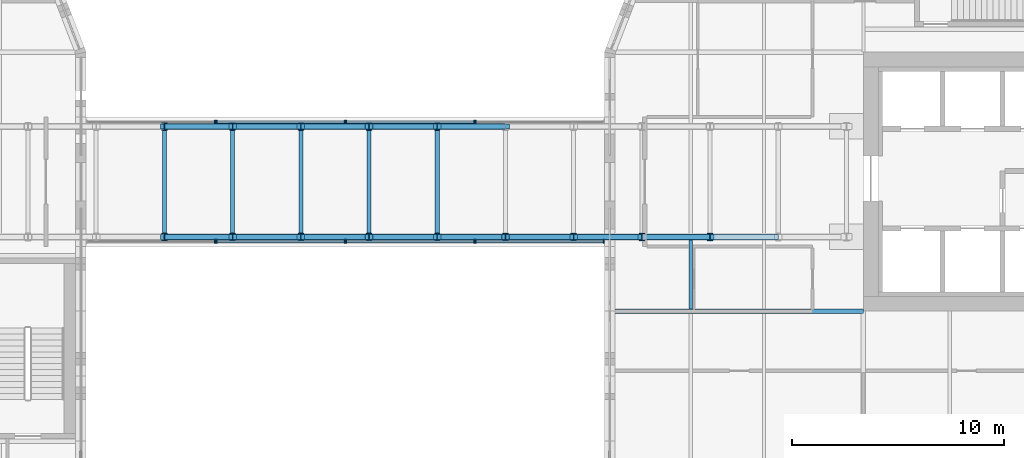
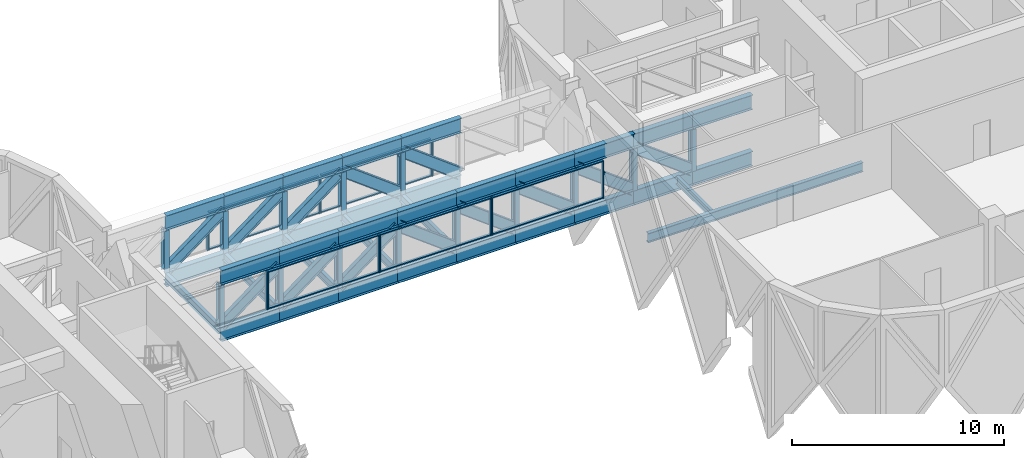
# One storey, part 5 of 30: 50 members, 35 beams, 8 elements without a shape of their own.
"""IFC4 building model written with IfcOpenShell, lengths in metres."""

from ifc_helpers import new_model, si_unit, direction, frame, origin, origin_2d, place, context, subcontext, project, spatial, rectangle, i_section, extrude, material, material_profile, profile_set, type_object, element, aggregate, save


model = new_model("IFC4")

# Units and contexts
model_context = context("Model", 3, precision=1e-05, world=origin(), true_north=direction((0.0, 1.0)))
body_context = subcontext(model_context, "Body", "Model", "MODEL_VIEW")
ifc_project = project(units=[si_unit("LENGTHUNIT", "METRE"), si_unit("AREAUNIT", "SQUARE_METRE"), si_unit("VOLUMEUNIT", "CUBIC_METRE"), si_unit("PLANEANGLEUNIT", "RADIAN"), si_unit("MASSUNIT", "GRAM", prefix="KILO")], contexts=[model_context])

# Site, building, storey
site_placement = place(None, origin())
site = spatial("IfcSite", under=ifc_project, at=site_placement, CompositionType="ELEMENT")
building_placement = place(site_placement, origin())
building = spatial("IfcBuilding", under=site, at=building_placement, Name="Tessera Gate Towers", CompositionType="ELEMENT")
storey_placement = place(building_placement, frame((0.0, 0.0, 21.300048828125)))
storey = spatial("IfcBuildingStorey", under=building, at=storey_placement, Name="L04", CompositionType="ELEMENT", Elevation=21.300048828125)

# Members
ifc_material_1 = material(Name="Steel 350W", Category="steel")
ifc_material_profile_1 = material_profile(ifc_material_1, i_section(OverallWidth=0.22802734375, OverallDepth=0.60302734375, WebThickness=0.010498046875, FlangeThickness=0.014892578125, at=origin_2d()), Name="W610x101")
ifc_profile_set_1 = profile_set([ifc_material_profile_1], Name="Steel 350W")
member_type_1 = type_object("IfcMemberType", Name="BRIDGE BRACE W610x101", PredefinedType="BRACE", material=ifc_profile_set_1)
member_1_placement = place(storey_placement, frame((64.6826171875, 40.10009765625, -0.25), z_axis=(0.798781510868, 0.0, 0.601621224605), x_axis=(0.0, 1.0, 0.0)))
element("IfcMember", 1, at=member_1_placement, inside=storey, type_object=member_type_1, Name="BR1 bridge truss G1 brace D4", PredefinedType="BRACE", context=body_context, shape_type="SweptSolid", body=[
    extrude(i_section(OverallWidth=0.22802734375, OverallDepth=0.60302734375, WebThickness=0.010498046875, FlangeThickness=0.014892578125, at=origin_2d()), origin(), (0.0, 0.0, 1.0), 4.020751953125),
])
member_2_placement = place(storey_placement, frame((67.894287109375, 40.10009765625, -0.25), z_axis=(0.79880348703, 0.0, 0.601592045416), x_axis=(0.0, 1.0, 0.0)))
element("IfcMember", 2, at=member_2_placement, inside=storey, type_object=member_type_1, Name="BR1 bridge truss G1 brace D5", PredefinedType="BRACE", context=body_context, shape_type="SweptSolid", body=[
    extrude(i_section(OverallWidth=0.22802734375, OverallDepth=0.60302734375, WebThickness=0.010498046875, FlangeThickness=0.014892578125, at=origin_2d()), origin(), (0.0, 0.0, 1.0), 4.02099609375),
])
for number, where, z_axis, x_axis, name in (
    (3, (71.106201171875, 40.10009765625, -0.25), (0.798781510868, 0.0, 0.601621224605), (0.0, 1.0, 0.0), "BR1 bridge truss G1 brace D6"),
    (4, (77.529541015625, 40.10009765625, -0.25), (-0.798781510868, 0.0, 0.601621224605), (0.0, -1.0, 0.0), "BR1 bridge truss G1 brace D7"),
    (5, (80.7412109375, 40.10009765625, -0.25), (-0.798781510868, 0.0, 0.601621224605), (0.0, -1.0, 0.0), "BR1 bridge truss G1 brace D8"),
):
    element("IfcMember", number, at=place(storey_placement, frame(where, z_axis=z_axis, x_axis=x_axis)), inside=storey, type_object=member_type_1, Name=name, PredefinedType="BRACE", context=body_context, shape_type="SweptSolid", body=[
        extrude(i_section(OverallWidth=0.22802734375, OverallDepth=0.60302734375, WebThickness=0.010498046875, FlangeThickness=0.014892578125, at=origin_2d()), origin(), (0.0, 0.0, 1.0), 4.020751953125),
    ])
member_3_placement = place(storey_placement, frame((83.953125, 40.10009765625, -0.25), z_axis=(-0.79880348703, 0.0, 0.601592045416), x_axis=(0.0, -1.0, 0.0)))
element("IfcMember", 6, at=member_3_placement, inside=storey, type_object=member_type_1, Name="BR1 bridge truss G1 brace D9", PredefinedType="BRACE", context=body_context, shape_type="SweptSolid", body=[
    extrude(i_section(OverallWidth=0.22802734375, OverallDepth=0.60302734375, WebThickness=0.010498046875, FlangeThickness=0.014892578125, at=origin_2d()), origin(), (0.0, 0.0, 1.0), 4.02099609375),
])
for number, where, z_axis, x_axis, name in (
    (7, (87.164794921875, 40.10009765625, -0.25), (-0.798781510868, 0.0, 0.601621224605), (0.0, -1.0, 0.0), "BR1 bridge truss G1 brace D10"),
    (8, (90.37646484375, 40.10009765625, -0.25), (-0.798781510868, 0.0, 0.601621224605), (0.0, -1.0, 0.0), "BR1 bridge truss G1 brace D11"),
    (9, (64.6826171875, 45.300048828125, -0.25), (0.798781510868, 0.0, 0.601621224605), (0.0, 1.0, 0.0), "BR1 bridge truss G2 brace D4"),
):
    element("IfcMember", number, at=place(storey_placement, frame(where, z_axis=z_axis, x_axis=x_axis)), inside=storey, type_object=member_type_1, Name=name, PredefinedType="BRACE", context=body_context, shape_type="SweptSolid", body=[
        extrude(i_section(OverallWidth=0.22802734375, OverallDepth=0.60302734375, WebThickness=0.010498046875, FlangeThickness=0.014892578125, at=origin_2d()), origin(), (0.0, 0.0, 1.0), 4.020751953125),
    ])
member_4_placement = place(storey_placement, frame((67.894287109375, 45.300048828125, -0.25), z_axis=(0.79880348703, 0.0, 0.601592045416), x_axis=(0.0, 1.0, 0.0)))
element("IfcMember", 10, at=member_4_placement, inside=storey, type_object=member_type_1, Name="BR1 bridge truss G2 brace D5", PredefinedType="BRACE", context=body_context, shape_type="SweptSolid", body=[
    extrude(i_section(OverallWidth=0.22802734375, OverallDepth=0.60302734375, WebThickness=0.010498046875, FlangeThickness=0.014892578125, at=origin_2d()), origin(), (0.0, 0.0, 1.0), 4.02099609375),
])
for number, where, z_axis, x_axis, name in (
    (11, (71.106201171875, 45.300048828125, -0.25), (0.798781510868, 0.0, 0.601621224605), (0.0, 1.0, 0.0), "BR1 bridge truss G2 brace D6"),
    (12, (77.529541015625, 45.300048828125, -0.25), (-0.798781510868, 0.0, 0.601621224605), (0.0, -1.0, 0.0), "BR1 bridge truss G2 brace D7"),
    (13, (80.7412109375, 45.300048828125, -0.25), (-0.798781510868, 0.0, 0.601621224605), (0.0, -1.0, 0.0), "BR1 bridge truss G2 brace D8"),
):
    element("IfcMember", number, at=place(storey_placement, frame(where, z_axis=z_axis, x_axis=x_axis)), inside=storey, type_object=member_type_1, Name=name, PredefinedType="BRACE", context=body_context, shape_type="SweptSolid", body=[
        extrude(i_section(OverallWidth=0.22802734375, OverallDepth=0.60302734375, WebThickness=0.010498046875, FlangeThickness=0.014892578125, at=origin_2d()), origin(), (0.0, 0.0, 1.0), 4.020751953125),
    ])

# Beams
ifc_material_2 = material(Name="Steel 350W", Category="steel")
ifc_material_profile_2 = material_profile(ifc_material_2, i_section(OverallWidth=0.2919921875, OverallDepth=0.8349609375, WebThickness=0.013916015625, FlangeThickness=0.018798828125, at=origin_2d()), Name="W840x176")
ifc_profile_set_2 = profile_set([ifc_material_profile_2], Name="Steel 350W")
beam_type_1 = type_object("IfcBeamType", Name="BRIDGE CHORD W840x176", PredefinedType="BEAM", material=ifc_profile_set_2)
for number, where, z_axis, x_axis, name in (
    (14, (64.6826171875, 40.10009765625, -0.66748046875), (1.0, 0.0, 0.0), (0.0, 1.0, 0.0), "BR1 bridge truss G1 bottom chord BC4"),
    (15, (64.6826171875, 40.10009765625, 2.58642578125), (1.0, 0.0, 0.0), (0.0, 1.0, 0.0), "BR1 bridge truss G1 top chord TC4"),
):
    element("IfcBeam", number, at=place(storey_placement, frame(where, z_axis=z_axis, x_axis=x_axis)), inside=storey, type_object=beam_type_1, Name=name, PredefinedType="BEAM", context=body_context, shape_type="SweptSolid", body=[
        extrude(i_section(OverallWidth=0.2919921875, OverallDepth=0.8349609375, WebThickness=0.013916015625, FlangeThickness=0.018798828125, at=origin_2d()), origin(), (0.0, 0.0, 1.0), 3.211669921875),
    ])
for number, where, z_axis, x_axis, name in (
    (16, (67.894287109375, 40.10009765625, -0.66748046875), (1.0, 0.0, 0.0), (0.0, 1.0, 0.0), "BR1 bridge truss G1 bottom chord BC5"),
    (17, (67.894287109375, 40.10009765625, 2.58642578125), (1.0, 0.0, 0.0), (0.0, 1.0, 0.0), "BR1 bridge truss G1 top chord TC5"),
):
    element("IfcBeam", number, at=place(storey_placement, frame(where, z_axis=z_axis, x_axis=x_axis)), inside=storey, type_object=beam_type_1, Name=name, PredefinedType="BEAM", context=body_context, shape_type="SweptSolid", body=[
        extrude(i_section(OverallWidth=0.2919921875, OverallDepth=0.8349609375, WebThickness=0.013916015625, FlangeThickness=0.018798828125, at=origin_2d()), origin(), (0.0, 0.0, 1.0), 3.2119140625),
    ])
for number, where, z_axis, x_axis, name in (
    (18, (71.106201171875, 40.10009765625, -0.66748046875), (1.0, 0.0, 0.0), (0.0, 1.0, 0.0), "BR1 bridge truss G1 bottom chord BC6"),
    (19, (71.106201171875, 40.10009765625, 2.58642578125), (1.0, 0.0, 0.0), (0.0, 1.0, 0.0), "BR1 bridge truss G1 top chord TC6"),
    (20, (74.31787109375, 40.10009765625, -0.66748046875), (1.0, 0.0, 0.0), (0.0, 1.0, 0.0), "BR1 bridge truss G1 bottom chord BC7"),
    (21, (74.31787109375, 40.10009765625, 2.58642578125), (1.0, 0.0, 0.0), (0.0, 1.0, 0.0), "BR1 bridge truss G1 top chord TC7"),
    (22, (77.529541015625, 40.10009765625, -0.66748046875), (1.0, 0.0, 0.0), (0.0, 1.0, 0.0), "BR1 bridge truss G1 bottom chord BC8"),
    (23, (77.529541015625, 40.10009765625, 2.58642578125), (1.0, 0.0, 0.0), (0.0, 1.0, 0.0), "BR1 bridge truss G1 top chord TC8"),
):
    element("IfcBeam", number, at=place(storey_placement, frame(where, z_axis=z_axis, x_axis=x_axis)), inside=storey, type_object=beam_type_1, Name=name, PredefinedType="BEAM", context=body_context, shape_type="SweptSolid", body=[
        extrude(i_section(OverallWidth=0.2919921875, OverallDepth=0.8349609375, WebThickness=0.013916015625, FlangeThickness=0.018798828125, at=origin_2d()), origin(), (0.0, 0.0, 1.0), 3.211669921875),
    ])
for number, where, z_axis, x_axis, name in (
    (24, (80.7412109375, 40.10009765625, -0.66748046875), (1.0, 0.0, 0.0), (0.0, 1.0, 0.0), "BR1 bridge truss G1 bottom chord BC9"),
    (25, (80.7412109375, 40.10009765625, 2.58642578125), (1.0, 0.0, 0.0), (0.0, 1.0, 0.0), "BR1 bridge truss G1 top chord TC9"),
):
    element("IfcBeam", number, at=place(storey_placement, frame(where, z_axis=z_axis, x_axis=x_axis)), inside=storey, type_object=beam_type_1, Name=name, PredefinedType="BEAM", context=body_context, shape_type="SweptSolid", body=[
        extrude(i_section(OverallWidth=0.2919921875, OverallDepth=0.8349609375, WebThickness=0.013916015625, FlangeThickness=0.018798828125, at=origin_2d()), origin(), (0.0, 0.0, 1.0), 3.2119140625),
    ])
for number, where, z_axis, x_axis, name in (
    (26, (83.953125, 40.10009765625, -0.66748046875), (1.0, 0.0, 0.0), (0.0, 1.0, 0.0), "BR1 bridge truss G1 bottom chord BC10"),
    (27, (83.953125, 40.10009765625, 2.58642578125), (1.0, 0.0, 0.0), (0.0, 1.0, 0.0), "BR1 bridge truss G1 top chord TC10"),
    (28, (87.164794921875, 40.10009765625, -0.66748046875), (1.0, 0.0, 0.0), (0.0, 1.0, 0.0), "BR1 bridge truss G1 bottom chord BC11"),
    (29, (87.164794921875, 40.10009765625, 2.58642578125), (1.0, 0.0, 0.0), (0.0, 1.0, 0.0), "BR1 bridge truss G1 top chord TC11"),
):
    element("IfcBeam", number, at=place(storey_placement, frame(where, z_axis=z_axis, x_axis=x_axis)), inside=storey, type_object=beam_type_1, Name=name, PredefinedType="BEAM", context=body_context, shape_type="SweptSolid", body=[
        extrude(i_section(OverallWidth=0.2919921875, OverallDepth=0.8349609375, WebThickness=0.013916015625, FlangeThickness=0.018798828125, at=origin_2d()), origin(), (0.0, 0.0, 1.0), 3.211669921875),
    ])
for number, where, z_axis, x_axis, name in (
    (30, (90.37646484375, 40.10009765625, -0.66748046875), (1.0, 0.0, 0.0), (0.0, 1.0, 0.0), "BR1 bridge truss G1 bottom chord BC12"),
    (31, (90.37646484375, 40.10009765625, 2.58642578125), (1.0, 0.0, 0.0), (0.0, 1.0, 0.0), "BR1 bridge truss G1 top chord TC12"),
):
    element("IfcBeam", number, at=place(storey_placement, frame(where, z_axis=z_axis, x_axis=x_axis)), inside=storey, type_object=beam_type_1, Name=name, PredefinedType="BEAM", context=body_context, shape_type="SweptSolid", body=[
        extrude(i_section(OverallWidth=0.2919921875, OverallDepth=0.8349609375, WebThickness=0.013916015625, FlangeThickness=0.018798828125, at=origin_2d()), origin(), (0.0, 0.0, 1.0), 3.2119140625),
    ])
for number, where, z_axis, x_axis, name in (
    (32, (64.6826171875, 45.300048828125, -0.66748046875), (1.0, 0.0, 0.0), (0.0, 1.0, 0.0), "BR1 bridge truss G2 bottom chord BC4"),
    (33, (64.6826171875, 45.300048828125, 2.58642578125), (1.0, 0.0, 0.0), (0.0, 1.0, 0.0), "BR1 bridge truss G2 top chord TC4"),
):
    element("IfcBeam", number, at=place(storey_placement, frame(where, z_axis=z_axis, x_axis=x_axis)), inside=storey, type_object=beam_type_1, Name=name, PredefinedType="BEAM", context=body_context, shape_type="SweptSolid", body=[
        extrude(i_section(OverallWidth=0.2919921875, OverallDepth=0.8349609375, WebThickness=0.013916015625, FlangeThickness=0.018798828125, at=origin_2d()), origin(), (0.0, 0.0, 1.0), 3.211669921875),
    ])
for number, where, z_axis, x_axis, name in (
    (34, (67.894287109375, 45.300048828125, -0.66748046875), (1.0, 0.0, 0.0), (0.0, 1.0, 0.0), "BR1 bridge truss G2 bottom chord BC5"),
    (35, (67.894287109375, 45.300048828125, 2.58642578125), (1.0, 0.0, 0.0), (0.0, 1.0, 0.0), "BR1 bridge truss G2 top chord TC5"),
):
    element("IfcBeam", number, at=place(storey_placement, frame(where, z_axis=z_axis, x_axis=x_axis)), inside=storey, type_object=beam_type_1, Name=name, PredefinedType="BEAM", context=body_context, shape_type="SweptSolid", body=[
        extrude(i_section(OverallWidth=0.2919921875, OverallDepth=0.8349609375, WebThickness=0.013916015625, FlangeThickness=0.018798828125, at=origin_2d()), origin(), (0.0, 0.0, 1.0), 3.2119140625),
    ])
for number, where, z_axis, x_axis, name in (
    (36, (71.106201171875, 45.300048828125, -0.66748046875), (1.0, 0.0, 0.0), (0.0, 1.0, 0.0), "BR1 bridge truss G2 bottom chord BC6"),
    (37, (71.106201171875, 45.300048828125, 2.58642578125), (1.0, 0.0, 0.0), (0.0, 1.0, 0.0), "BR1 bridge truss G2 top chord TC6"),
    (38, (74.31787109375, 45.300048828125, -0.66748046875), (1.0, 0.0, 0.0), (0.0, 1.0, 0.0), "BR1 bridge truss G2 bottom chord BC7"),
    (39, (74.31787109375, 45.300048828125, 2.58642578125), (1.0, 0.0, 0.0), (0.0, 1.0, 0.0), "BR1 bridge truss G2 top chord TC7"),
    (40, (77.529541015625, 45.300048828125, -0.66748046875), (1.0, 0.0, 0.0), (0.0, 1.0, 0.0), "BR1 bridge truss G2 bottom chord BC8"),
    (41, (77.529541015625, 45.300048828125, 2.58642578125), (1.0, 0.0, 0.0), (0.0, 1.0, 0.0), "BR1 bridge truss G2 top chord TC8"),
):
    element("IfcBeam", number, at=place(storey_placement, frame(where, z_axis=z_axis, x_axis=x_axis)), inside=storey, type_object=beam_type_1, Name=name, PredefinedType="BEAM", context=body_context, shape_type="SweptSolid", body=[
        extrude(i_section(OverallWidth=0.2919921875, OverallDepth=0.8349609375, WebThickness=0.013916015625, FlangeThickness=0.018798828125, at=origin_2d()), origin(), (0.0, 0.0, 1.0), 3.211669921875),
    ])
ifc_material_3 = material(Name="Steel 350W", Category="steel")
ifc_material_profile_3 = material_profile(ifc_material_3, i_section(OverallWidth=0.18994140625, OverallDepth=0.45703125, WebThickness=0.009033203125, FlangeThickness=0.014404296875, at=origin_2d()), Name="W460x74")
ifc_profile_set_3 = profile_set([ifc_material_profile_3], Name="Steel 350W")
beam_type_2 = type_object("IfcBeamType", Name="BRIDGE CROSS BEAM W460x74", PredefinedType="BEAM", material=ifc_profile_set_3)
for number, where, z_axis, x_axis, name in (
    (42, (64.6826171875, 40.10693359375, -0.478515625), (0.0, 1.0, 0.0), (-1.0, 0.0, 0.0), "BR1 bridge cross beam X3"),
    (43, (67.894287109375, 40.10693359375, -0.478515625), (0.0, 1.0, 0.0), (-1.0, 0.0, 0.0), "BR1 bridge cross beam X4"),
    (44, (71.106201171875, 40.10693359375, -0.478515625), (0.0, 1.0, 0.0), (-1.0, 0.0, 0.0), "BR1 bridge cross beam X5"),
    (45, (74.31787109375, 40.10693359375, -0.478515625), (0.0, 1.0, 0.0), (-1.0, 0.0, 0.0), "BR1 bridge cross beam X6"),
    (46, (77.529541015625, 40.10693359375, -0.478515625), (0.0, 1.0, 0.0), (-1.0, 0.0, 0.0), "BR1 bridge cross beam X7"),
):
    element("IfcBeam", number, at=place(storey_placement, frame(where, z_axis=z_axis, x_axis=x_axis)), inside=storey, type_object=beam_type_2, Name=name, PredefinedType="BEAM", context=body_context, shape_type="SweptSolid", body=[
        extrude(i_section(OverallWidth=0.18994140625, OverallDepth=0.45703125, WebThickness=0.009033203125, FlangeThickness=0.014404296875, at=origin_2d()), origin(), (0.0, 0.0, 1.0), 5.18603515625),
    ])

# Members
ifc_material_4 = material(Name="Steel 350W", Category="steel")
ifc_material_profile_4 = material_profile(ifc_material_4, i_section(OverallWidth=0.2548828125, OverallDepth=0.35693359375, WebThickness=0.010498046875, FlangeThickness=0.018310546875, at=origin_2d()), Name="W360x101")
ifc_profile_set_4 = profile_set([ifc_material_profile_4], Name="Steel 350W")
member_type_2 = type_object("IfcMemberType", Name="BRIDGE POST W360x101", PredefinedType="POST", material=ifc_profile_set_4)
for number, where, z_axis, x_axis, name in (
    (47, (64.6826171875, 40.10009765625, -0.25), (0.0, 0.0, 1.0), (1.0, 0.0, 0.0), "BR1 bridge truss G1 post V3"),
    (48, (67.894287109375, 40.10009765625, -0.25), (0.0, 0.0, 1.0), (1.0, 0.0, 0.0), "BR1 bridge truss G1 post V4"),
    (49, (71.106201171875, 40.10009765625, -0.25), (0.0, 0.0, 1.0), (1.0, 0.0, 0.0), "BR1 bridge truss G1 post V5"),
    (50, (74.31787109375, 40.10009765625, -0.25), (0.0, 0.0, 1.0), (1.0, 0.0, 0.0), "BR1 bridge truss G1 post V6"),
    (51, (77.529541015625, 40.10009765625, -0.25), (0.0, 0.0, 1.0), (1.0, 0.0, 0.0), "BR1 bridge truss G1 post V7"),
    (52, (80.7412109375, 40.10009765625, -0.25), (0.0, 0.0, 1.0), (1.0, 0.0, 0.0), "BR1 bridge truss G1 post V8"),
    (53, (83.953125, 40.10009765625, -0.25), (0.0, 0.0, 1.0), (1.0, 0.0, 0.0), "BR1 bridge truss G1 post V9"),
    (54, (87.164794921875, 40.10009765625, -0.25), (0.0, 0.0, 1.0), (1.0, 0.0, 0.0), "BR1 bridge truss G1 post V10"),
    (55, (90.37646484375, 40.10009765625, -0.25), (0.0, 0.0, 1.0), (1.0, 0.0, 0.0), "BR1 bridge truss G1 post V11"),
    (56, (64.6826171875, 45.300048828125, -0.25), (0.0, 0.0, 1.0), (1.0, 0.0, 0.0), "BR1 bridge truss G2 post V3"),
    (57, (67.894287109375, 45.300048828125, -0.25), (0.0, 0.0, 1.0), (1.0, 0.0, 0.0), "BR1 bridge truss G2 post V4"),
    (58, (71.106201171875, 45.300048828125, -0.25), (0.0, 0.0, 1.0), (1.0, 0.0, 0.0), "BR1 bridge truss G2 post V5"),
    (59, (74.31787109375, 45.300048828125, -0.25), (0.0, 0.0, 1.0), (1.0, 0.0, 0.0), "BR1 bridge truss G2 post V6"),
    (60, (77.529541015625, 45.300048828125, -0.25), (0.0, 0.0, 1.0), (1.0, 0.0, 0.0), "BR1 bridge truss G2 post V7"),
):
    element("IfcMember", number, at=place(storey_placement, frame(where, z_axis=z_axis, x_axis=x_axis)), inside=storey, type_object=member_type_2, Name=name, PredefinedType="POST", context=body_context, shape_type="SweptSolid", body=[
        extrude(i_section(OverallWidth=0.2548828125, OverallDepth=0.35693359375, WebThickness=0.010498046875, FlangeThickness=0.018310546875, at=origin_2d()), origin(), (0.0, 0.0, 1.0), 2.4189453125),
    ])

# Beams
ifc_material_5 = material(Name="Steel 350W", Category="steel")
ifc_material_profile_5 = material_profile(ifc_material_5, i_section(OverallWidth=0.208984375, OverallDepth=0.532958984375, WebThickness=0.01025390625, FlangeThickness=0.015625, at=origin_2d()), Name="W530x92")
ifc_profile_set_5 = profile_set([ifc_material_profile_5], Name="Steel 350W")
beam_type_3 = type_object("IfcBeamType", Name="FLOOR GIRDER W530x92", PredefinedType="BEAM", material=ifc_profile_set_5)
beam_1_placement = place(storey_placement, frame((85.89892578125, 36.60009765625, -0.466552734375), z_axis=(1.0, 0.0, 0.0), x_axis=(0.0, 1.0, 0.0)))
element("IfcBeam", 61, at=beam_1_placement, inside=storey, type_object=beam_type_3, Name="T2-GD-L04-874", PredefinedType="BEAM", context=body_context, shape_type="SweptSolid", body=[
    extrude(i_section(OverallWidth=0.208984375, OverallDepth=0.532958984375, WebThickness=0.01025390625, FlangeThickness=0.015625, at=origin_2d()), origin(), (0.0, 0.0, 1.0), 11.7001953125),
])
ifc_material_6 = material(Name="Steel 350W", Category="steel")
ifc_material_profile_6 = material_profile(ifc_material_6, i_section(OverallWidth=0.153076171875, OverallDepth=0.455078125, WebThickness=0.008056640625, FlangeThickness=0.01318359375, at=origin_2d()), Name="W460x60")
ifc_profile_set_6 = profile_set([ifc_material_profile_6], Name="Steel 350W")
beam_type_4 = type_object("IfcBeamType", Name="FLOOR SECONDARY W460x60", PredefinedType="BEAM", material=ifc_profile_set_6)
beam_2_placement = place(storey_placement, frame((89.466796875, 36.70458984375, -0.427490234375), z_axis=(0.0, 1.0, 0.0), x_axis=(-1.0, 0.0, 0.0)))
element("IfcBeam", 62, at=beam_2_placement, inside=storey, type_object=beam_type_4, Name="T2-BM-L04-888", PredefinedType="BEAM", context=body_context, shape_type="SweptSolid", body=[
    extrude(i_section(OverallWidth=0.153076171875, OverallDepth=0.455078125, WebThickness=0.008056640625, FlangeThickness=0.01318359375, at=origin_2d()), origin(), (0.0, 0.0, 1.0), 3.244384765625),
])

# Curtain wall, member
ifc_material_7 = material(Name="Aluminium frame", Category="aluminium")
curtain_wall_type = type_object("IfcCurtainWallType", Name="CW-S5 bridge enclosure", PredefinedType="NOTDEFINED", material=ifc_material_7)
curtain_wall_1_placement = place(storey_placement, origin())
curtain_wall_1 = element("IfcCurtainWall", 63, at=curtain_wall_1_placement, inside=storey, type_object=curtain_wall_type, Name="Curtain wall bridge enclosure 0218", PredefinedType="NOTDEFINED")
ifc_material_8 = material(Name="Aluminium frame", Category="aluminium")
ifc_material_profile_7 = material_profile(ifc_material_8, rectangle(XDim=0.06005859375, YDim=0.179931640625, at=origin_2d()), Name="AL 60x180")
ifc_profile_set_7 = profile_set([ifc_material_profile_7], Name="Aluminium frame")
member_type_3 = type_object("IfcMemberType", Name="MU-S5 mullion 60x180", PredefinedType="MULLION", material=ifc_profile_set_7)
member_5_placement = place(storey_placement, frame((67.070068359375, 39.89208984375, 0.0), z_axis=(0.0, 0.0, 1.0), x_axis=(1.0, 0.0, 0.0)))
member_5 = element("IfcMember", 64, at=member_5_placement, type_object=member_type_3, Name="BR1-CW5-0218 mullion 2", PredefinedType="MULLION", context=body_context, shape_type="SweptSolid", body=[
    extrude(rectangle(XDim=0.06005859375, YDim=0.179931640625, at=origin_2d()), origin(), (0.0, 0.0, 1.0), 2.1689453125),
])
aggregate(curtain_wall_1, [member_5])

# Curtain wall, members
curtain_wall_2_placement = place(storey_placement, origin())
curtain_wall_2 = element("IfcCurtainWall", 65, at=curtain_wall_2_placement, inside=storey, type_object=curtain_wall_type, Name="Curtain wall bridge enclosure 0219", PredefinedType="NOTDEFINED")
member_6_placement = place(storey_placement, frame((67.1298828125, 39.89208984375, 0.0), z_axis=(0.0, 0.0, 1.0), x_axis=(1.0, 0.0, 0.0)))
member_6 = element("IfcMember", 66, at=member_6_placement, type_object=member_type_3, Name="BR1-CW5-0219 mullion 1", PredefinedType="MULLION", context=body_context, shape_type="SweptSolid", body=[
    extrude(rectangle(XDim=0.06005859375, YDim=0.179931640625, at=origin_2d()), origin(), (0.0, 0.0, 1.0), 2.1689453125),
])
member_7_placement = place(storey_placement, frame((73.169921875, 39.89208984375, 0.0), z_axis=(0.0, 0.0, 1.0), x_axis=(1.0, 0.0, 0.0)))
member_7 = element("IfcMember", 67, at=member_7_placement, type_object=member_type_3, Name="BR1-CW5-0219 mullion 2", PredefinedType="MULLION", context=body_context, shape_type="SweptSolid", body=[
    extrude(rectangle(XDim=0.06005859375, YDim=0.179931640625, at=origin_2d()), origin(), (0.0, 0.0, 1.0), 2.1689453125),
])

curtain_wall_3_placement = place(storey_placement, origin())
curtain_wall_3 = element("IfcCurtainWall", 68, at=curtain_wall_3_placement, inside=storey, type_object=curtain_wall_type, Name="Curtain wall bridge enclosure 0220", PredefinedType="NOTDEFINED")
member_8_placement = place(storey_placement, frame((73.22998046875, 39.89208984375, 0.0), z_axis=(0.0, 0.0, 1.0), x_axis=(1.0, 0.0, 0.0)))
member_8 = element("IfcMember", 69, at=member_8_placement, type_object=member_type_3, Name="BR1-CW5-0220 mullion 1", PredefinedType="MULLION", context=body_context, shape_type="SweptSolid", body=[
    extrude(rectangle(XDim=0.06005859375, YDim=0.179931640625, at=origin_2d()), origin(), (0.0, 0.0, 1.0), 2.1689453125),
])
member_9_placement = place(storey_placement, frame((79.27001953125, 39.89208984375, 0.0), z_axis=(0.0, 0.0, 1.0), x_axis=(1.0, 0.0, 0.0)))
member_9 = element("IfcMember", 70, at=member_9_placement, type_object=member_type_3, Name="BR1-CW5-0220 mullion 2", PredefinedType="MULLION", context=body_context, shape_type="SweptSolid", body=[
    extrude(rectangle(XDim=0.06005859375, YDim=0.179931640625, at=origin_2d()), origin(), (0.0, 0.0, 1.0), 2.1689453125),
])

curtain_wall_4_placement = place(storey_placement, origin())
curtain_wall_4 = element("IfcCurtainWall", 71, at=curtain_wall_4_placement, inside=storey, type_object=curtain_wall_type, Name="Curtain wall bridge enclosure 0221", PredefinedType="NOTDEFINED")
member_10_placement = place(storey_placement, frame((79.330078125, 39.89208984375, 0.0), z_axis=(0.0, 0.0, 1.0), x_axis=(1.0, 0.0, 0.0)))
member_10 = element("IfcMember", 72, at=member_10_placement, type_object=member_type_3, Name="BR1-CW5-0221 mullion 1", PredefinedType="MULLION", context=body_context, shape_type="SweptSolid", body=[
    extrude(rectangle(XDim=0.06005859375, YDim=0.179931640625, at=origin_2d()), origin(), (0.0, 0.0, 1.0), 2.1689453125),
])
member_11_placement = place(storey_placement, frame((85.3701171875, 39.89208984375, 0.0), z_axis=(0.0, 0.0, 1.0), x_axis=(1.0, 0.0, 0.0)))
member_11 = element("IfcMember", 73, at=member_11_placement, type_object=member_type_3, Name="BR1-CW5-0221 mullion 2", PredefinedType="MULLION", context=body_context, shape_type="SweptSolid", body=[
    extrude(rectangle(XDim=0.06005859375, YDim=0.179931640625, at=origin_2d()), origin(), (0.0, 0.0, 1.0), 2.1689453125),
])

# Curtain wall, member
curtain_wall_5_placement = place(storey_placement, origin())
curtain_wall_5 = element("IfcCurtainWall", 74, at=curtain_wall_5_placement, inside=storey, type_object=curtain_wall_type, Name="Curtain wall bridge enclosure 0222", PredefinedType="NOTDEFINED")
member_12_placement = place(storey_placement, frame((67.070068359375, 45.508056640625, 0.0), z_axis=(0.0, 0.0, 1.0), x_axis=(1.0, 0.0, 0.0)))
member_12 = element("IfcMember", 75, at=member_12_placement, type_object=member_type_3, Name="BR1-CW5-0222 mullion 2", PredefinedType="MULLION", context=body_context, shape_type="SweptSolid", body=[
    extrude(rectangle(XDim=0.06005859375, YDim=0.179931640625, at=origin_2d()), origin(), (0.0, 0.0, 1.0), 2.1689453125),
])
aggregate(curtain_wall_5, [member_12])

# Curtain wall, members
curtain_wall_6_placement = place(storey_placement, origin())
curtain_wall_6 = element("IfcCurtainWall", 76, at=curtain_wall_6_placement, inside=storey, type_object=curtain_wall_type, Name="Curtain wall bridge enclosure 0223", PredefinedType="NOTDEFINED")
member_13_placement = place(storey_placement, frame((67.1298828125, 45.508056640625, 0.0), z_axis=(0.0, 0.0, 1.0), x_axis=(1.0, 0.0, 0.0)))
member_13 = element("IfcMember", 77, at=member_13_placement, type_object=member_type_3, Name="BR1-CW5-0223 mullion 1", PredefinedType="MULLION", context=body_context, shape_type="SweptSolid", body=[
    extrude(rectangle(XDim=0.06005859375, YDim=0.179931640625, at=origin_2d()), origin(), (0.0, 0.0, 1.0), 2.1689453125),
])
member_14_placement = place(storey_placement, frame((73.169921875, 45.508056640625, 0.0), z_axis=(0.0, 0.0, 1.0), x_axis=(1.0, 0.0, 0.0)))
member_14 = element("IfcMember", 78, at=member_14_placement, type_object=member_type_3, Name="BR1-CW5-0223 mullion 2", PredefinedType="MULLION", context=body_context, shape_type="SweptSolid", body=[
    extrude(rectangle(XDim=0.06005859375, YDim=0.179931640625, at=origin_2d()), origin(), (0.0, 0.0, 1.0), 2.1689453125),
])

curtain_wall_7_placement = place(storey_placement, origin())
curtain_wall_7 = element("IfcCurtainWall", 79, at=curtain_wall_7_placement, inside=storey, type_object=curtain_wall_type, Name="Curtain wall bridge enclosure 0224", PredefinedType="NOTDEFINED")
member_15_placement = place(storey_placement, frame((73.22998046875, 45.508056640625, 0.0), z_axis=(0.0, 0.0, 1.0), x_axis=(1.0, 0.0, 0.0)))
member_15 = element("IfcMember", 80, at=member_15_placement, type_object=member_type_3, Name="BR1-CW5-0224 mullion 1", PredefinedType="MULLION", context=body_context, shape_type="SweptSolid", body=[
    extrude(rectangle(XDim=0.06005859375, YDim=0.179931640625, at=origin_2d()), origin(), (0.0, 0.0, 1.0), 2.1689453125),
])
member_16_placement = place(storey_placement, frame((79.27001953125, 45.508056640625, 0.0), z_axis=(0.0, 0.0, 1.0), x_axis=(1.0, 0.0, 0.0)))
member_16 = element("IfcMember", 81, at=member_16_placement, type_object=member_type_3, Name="BR1-CW5-0224 mullion 2", PredefinedType="MULLION", context=body_context, shape_type="SweptSolid", body=[
    extrude(rectangle(XDim=0.06005859375, YDim=0.179931640625, at=origin_2d()), origin(), (0.0, 0.0, 1.0), 2.1689453125),
])

# Curtain wall, member
curtain_wall_8_placement = place(storey_placement, origin())
curtain_wall_8 = element("IfcCurtainWall", 82, at=curtain_wall_8_placement, inside=storey, type_object=curtain_wall_type, Name="Curtain wall bridge enclosure 0225", PredefinedType="NOTDEFINED")
member_17_placement = place(storey_placement, frame((79.330078125, 45.508056640625, 0.0), z_axis=(0.0, 0.0, 1.0), x_axis=(1.0, 0.0, 0.0)))
member_17 = element("IfcMember", 83, at=member_17_placement, type_object=member_type_3, Name="BR1-CW5-0225 mullion 1", PredefinedType="MULLION", context=body_context, shape_type="SweptSolid", body=[
    extrude(rectangle(XDim=0.06005859375, YDim=0.179931640625, at=origin_2d()), origin(), (0.0, 0.0, 1.0), 2.1689453125),
])
aggregate(curtain_wall_8, [member_17])

# Member
ifc_material_9 = material(Name="Aluminium frame", Category="aluminium")
ifc_material_profile_8 = material_profile(ifc_material_9, rectangle(XDim=0.139892578125, YDim=0.06005859375, at=origin_2d()), Name="AL 60x140")
ifc_profile_set_8 = profile_set([ifc_material_profile_8], Name="Aluminium frame")
member_type_4 = type_object("IfcMemberType", Name="TR-S5 transom 60x140", PredefinedType="USERDEFINED", material=ifc_profile_set_8)
member_18_placement = place(storey_placement, frame((67.159912109375, 39.89208984375, 0.030029296875), z_axis=(1.0, 0.0, 0.0), x_axis=(0.0, 1.0, 0.0)))
member_18 = element("IfcMember", 84, at=member_18_placement, type_object=member_type_4, Name="BR1-CW5-0219 transom 1.1", ObjectType="TRANSOM", PredefinedType="USERDEFINED", context=body_context, shape_type="SweptSolid", body=[
    extrude(rectangle(XDim=0.139892578125, YDim=0.06005859375, at=origin_2d()), origin(), (0.0, 0.0, 1.0), 5.97998046875),
])

member_19_placement = place(storey_placement, frame((67.159912109375, 39.89208984375, 2.138916015625), z_axis=(1.0, 0.0, 0.0), x_axis=(0.0, 1.0, 0.0)))
member_19 = element("IfcMember", 85, at=member_19_placement, type_object=member_type_4, Name="BR1-CW5-0219 transom 1.2", ObjectType="TRANSOM", PredefinedType="USERDEFINED", context=body_context, shape_type="SweptSolid", body=[
    extrude(rectangle(XDim=0.139892578125, YDim=0.06005859375, at=origin_2d()), origin(), (0.0, 0.0, 1.0), 5.97998046875),
])

aggregate(curtain_wall_2, [member_6, member_7, member_18, member_19])

member_20_placement = place(storey_placement, frame((73.260009765625, 39.89208984375, 0.030029296875), z_axis=(1.0, 0.0, 0.0), x_axis=(0.0, 1.0, 0.0)))
member_20 = element("IfcMember", 86, at=member_20_placement, type_object=member_type_4, Name="BR1-CW5-0220 transom 1.1", ObjectType="TRANSOM", PredefinedType="USERDEFINED", context=body_context, shape_type="SweptSolid", body=[
    extrude(rectangle(XDim=0.139892578125, YDim=0.06005859375, at=origin_2d()), origin(), (0.0, 0.0, 1.0), 5.97998046875),
])

member_21_placement = place(storey_placement, frame((73.260009765625, 39.89208984375, 2.138916015625), z_axis=(1.0, 0.0, 0.0), x_axis=(0.0, 1.0, 0.0)))
member_21 = element("IfcMember", 87, at=member_21_placement, type_object=member_type_4, Name="BR1-CW5-0220 transom 1.2", ObjectType="TRANSOM", PredefinedType="USERDEFINED", context=body_context, shape_type="SweptSolid", body=[
    extrude(rectangle(XDim=0.139892578125, YDim=0.06005859375, at=origin_2d()), origin(), (0.0, 0.0, 1.0), 5.97998046875),
])

aggregate(curtain_wall_3, [member_8, member_9, member_20, member_21])

member_22_placement = place(storey_placement, frame((79.360107421875, 39.89208984375, 0.030029296875), z_axis=(1.0, 0.0, 0.0), x_axis=(0.0, 1.0, 0.0)))
member_22 = element("IfcMember", 88, at=member_22_placement, type_object=member_type_4, Name="BR1-CW5-0221 transom 1.1", ObjectType="TRANSOM", PredefinedType="USERDEFINED", context=body_context, shape_type="SweptSolid", body=[
    extrude(rectangle(XDim=0.139892578125, YDim=0.06005859375, at=origin_2d()), origin(), (0.0, 0.0, 1.0), 5.97998046875),
])

member_23_placement = place(storey_placement, frame((79.360107421875, 39.89208984375, 2.138916015625), z_axis=(1.0, 0.0, 0.0), x_axis=(0.0, 1.0, 0.0)))
member_23 = element("IfcMember", 89, at=member_23_placement, type_object=member_type_4, Name="BR1-CW5-0221 transom 1.2", ObjectType="TRANSOM", PredefinedType="USERDEFINED", context=body_context, shape_type="SweptSolid", body=[
    extrude(rectangle(XDim=0.139892578125, YDim=0.06005859375, at=origin_2d()), origin(), (0.0, 0.0, 1.0), 5.97998046875),
])

aggregate(curtain_wall_4, [member_10, member_11, member_22, member_23])

member_24_placement = place(storey_placement, frame((67.159912109375, 45.508056640625, 0.030029296875), z_axis=(1.0, 0.0, 0.0), x_axis=(0.0, 1.0, 0.0)))
member_24 = element("IfcMember", 90, at=member_24_placement, type_object=member_type_4, Name="BR1-CW5-0223 transom 1.1", ObjectType="TRANSOM", PredefinedType="USERDEFINED", context=body_context, shape_type="SweptSolid", body=[
    extrude(rectangle(XDim=0.139892578125, YDim=0.06005859375, at=origin_2d()), origin(), (0.0, 0.0, 1.0), 5.97998046875),
])

member_25_placement = place(storey_placement, frame((67.159912109375, 45.508056640625, 2.138916015625), z_axis=(1.0, 0.0, 0.0), x_axis=(0.0, 1.0, 0.0)))
member_25 = element("IfcMember", 91, at=member_25_placement, type_object=member_type_4, Name="BR1-CW5-0223 transom 1.2", ObjectType="TRANSOM", PredefinedType="USERDEFINED", context=body_context, shape_type="SweptSolid", body=[
    extrude(rectangle(XDim=0.139892578125, YDim=0.06005859375, at=origin_2d()), origin(), (0.0, 0.0, 1.0), 5.97998046875),
])

aggregate(curtain_wall_6, [member_13, member_14, member_24, member_25])

member_26_placement = place(storey_placement, frame((73.260009765625, 45.508056640625, 0.030029296875), z_axis=(1.0, 0.0, 0.0), x_axis=(0.0, 1.0, 0.0)))
member_26 = element("IfcMember", 92, at=member_26_placement, type_object=member_type_4, Name="BR1-CW5-0224 transom 1.1", ObjectType="TRANSOM", PredefinedType="USERDEFINED", context=body_context, shape_type="SweptSolid", body=[
    extrude(rectangle(XDim=0.139892578125, YDim=0.06005859375, at=origin_2d()), origin(), (0.0, 0.0, 1.0), 5.97998046875),
])

member_27_placement = place(storey_placement, frame((73.260009765625, 45.508056640625, 2.138916015625), z_axis=(1.0, 0.0, 0.0), x_axis=(0.0, 1.0, 0.0)))
member_27 = element("IfcMember", 93, at=member_27_placement, type_object=member_type_4, Name="BR1-CW5-0224 transom 1.2", ObjectType="TRANSOM", PredefinedType="USERDEFINED", context=body_context, shape_type="SweptSolid", body=[
    extrude(rectangle(XDim=0.139892578125, YDim=0.06005859375, at=origin_2d()), origin(), (0.0, 0.0, 1.0), 5.97998046875),
])

aggregate(curtain_wall_7, [member_15, member_16, member_26, member_27])

save(model, "model.ifc")
